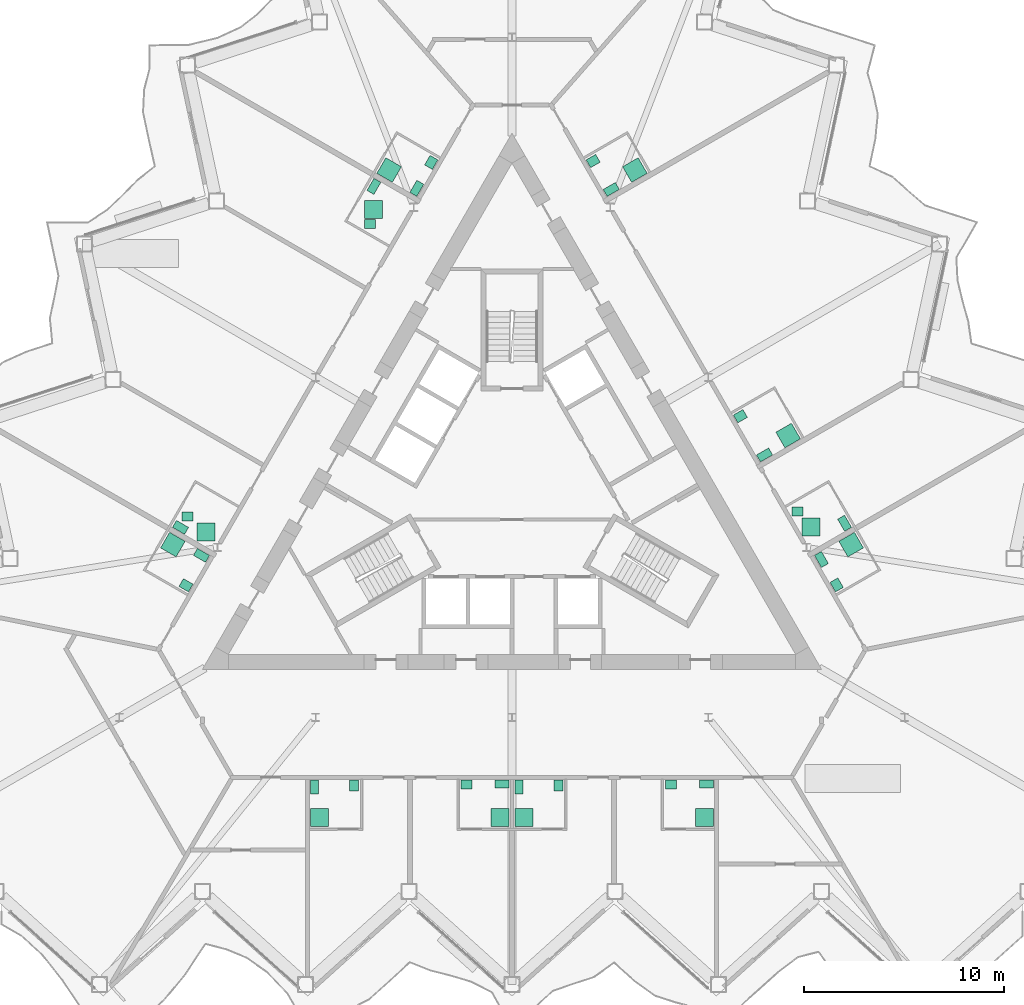
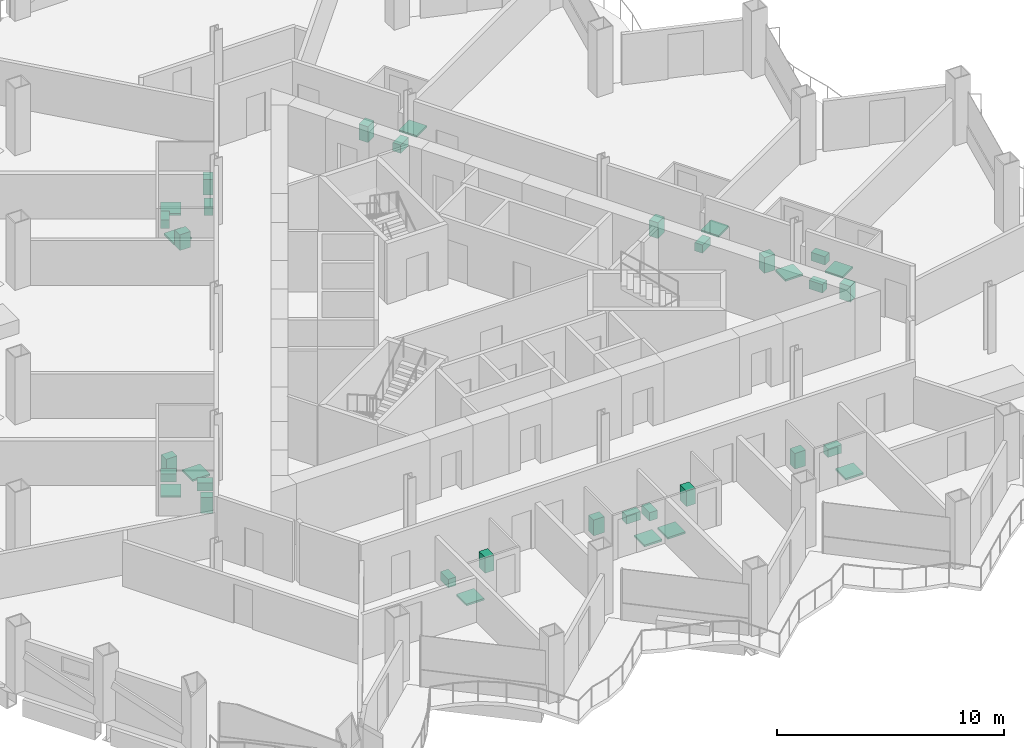
# One storey, part 22 of 23: 36 sanitary terminals.
"""IFC4 building model written with IfcOpenShell, lengths in metres."""

from ifc_helpers import new_model, si_unit, direction, frame, origin, origin_2d, place, context, subcontext, project, spatial, rectangle, extrude, material, type_object, element, save


model = new_model("IFC4")

# Units and contexts
model_context = context("Model", 3, precision=1e-05, world=origin(), true_north=direction((0.0, 1.0)))
body_context = subcontext(model_context, "Body", "Model", "MODEL_VIEW")
ifc_project = project(units=[si_unit("LENGTHUNIT", "METRE"), si_unit("AREAUNIT", "SQUARE_METRE"), si_unit("VOLUMEUNIT", "CUBIC_METRE"), si_unit("PLANEANGLEUNIT", "RADIAN"), si_unit("MASSUNIT", "GRAM", prefix="KILO")], contexts=[model_context])

# Site, building, storey
site_placement = place(None, origin())
site = spatial("IfcSite", under=ifc_project, at=site_placement, CompositionType="ELEMENT")
building_placement = place(site_placement, origin())
building = spatial("IfcBuilding", under=site, at=building_placement, Name="Cormorant Prow Tower", CompositionType="ELEMENT")
storey_placement = place(building_placement, frame((0.0, 0.0, 169.199951171875)))
storey = spatial("IfcBuildingStorey", under=building, at=storey_placement, Name="L35", CompositionType="ELEMENT", Elevation=169.199951171875)

# Sanitary terminals
ifc_material_1 = material(Name="Vitreous china")
sanitary_terminal_type_1 = type_object("IfcSanitaryTerminalType", Name="Shower tray 900x900", PredefinedType="SHOWER", material=ifc_material_1)
for number, where, z_axis, x_axis, name in (
    (1, (-9.636474609375, -16.35400390625, 0.0), (0.0, 0.0, 1.0), (0.0, 1.0, 0.0), "Shower tray"),
    (2, (-0.594970703125, -16.35400390625, 0.0), (0.0, 0.0, 1.0), (-1.0, 0.0, 0.0), "Shower tray"),
    (3, (0.594970703125, -16.35400390625, 0.0), (0.0, 0.0, 1.0), (0.0, 1.0, 0.0), "Shower tray"),
    (4, (9.636474609375, -16.35400390625, 0.0), (0.0, 0.0, 1.0), (-1.0, 0.0, 0.0), "Shower tray"),
    (5, (16.97802734375, -2.698974609375, 0.0), (0.0, 0.0, 1.0), (0.5, -0.866025403784, 0.0), "Shower tray"),
    (6, (14.973876953125, -1.806396484375, 0.0), (0.0, 0.0, 1.0), (1.0, 0.0, 0.0), "Shower tray"),
    (7, (13.8251953125, 2.761962890625, 0.0), (0.0, 0.0, 1.0), (-0.866025403784, -0.5, 0.0), "Shower tray"),
    (8, (6.151611328125, 16.052978515625, 0.0), (0.0, 0.0, 1.0), (-0.866025403784, -0.5, 0.0), "Shower tray"),
    (9, (-6.151611328125, 16.052978515625, 0.0), (0.0, 0.0, 1.0), (0.5, 0.866025403784, 0.0), "Shower tray"),
    (10, (-6.934814453125, 14.07666015625, 0.0), (0.0, 0.0, 1.0), (1.0, 0.0, 0.0), "Shower tray"),
    (11, (-15.316162109375, -2.056396484375, 0.0), (0.0, 0.0, 1.0), (1.0, 0.0, 0.0), "Shower tray"),
    (12, (-16.97802734375, -2.698974609375, 0.0), (0.0, 0.0, 1.0), (0.866025403784, -0.5, 0.0), "Shower tray"),
):
    element("IfcSanitaryTerminal", number, at=place(storey_placement, frame(where, z_axis=z_axis, x_axis=x_axis)), inside=storey, type_object=sanitary_terminal_type_1, Name=name, PredefinedType="SHOWER", context=body_context, shape_type="SweptSolid", body=[
        extrude(rectangle(XDim=0.89990234375, YDim=0.89990234375, at=origin_2d()), origin(), (0.0, 0.0, 1.0), 0.10009765625),
    ])
ifc_material_2 = material(Name="Vitreous china")
sanitary_terminal_type_2 = type_object("IfcSanitaryTerminalType", Name="Wash basin 550x450", PredefinedType="WASHHANDBASIN", material=ifc_material_2)
for number, where, z_axis, x_axis, name in (
    (13, (-7.9013671875, -14.768798828125, 0.0), (0.0, 0.0, 1.0), (0.0, -1.0, 0.0), "Wash basin"),
    (14, (-2.280029296875, -14.718994140625, 0.0), (0.0, 0.0, 1.0), (1.0, 0.0, 0.0), "Wash basin"),
    (15, (2.330078125, -14.768798828125, 0.0), (0.0, 0.0, 1.0), (0.0, -1.0, 0.0), "Wash basin"),
    (16, (7.951416015625, -14.718994140625, 0.0), (0.0, 0.0, 1.0), (1.0, 0.0, 0.0), "Wash basin"),
    (17, (16.254638671875, -4.7158203125, 0.0), (0.0, 0.0, 1.0), (-0.5, 0.866025403784, 0.0), "Wash basin"),
    (18, (14.298828125, -1.031494140625, 0.0), (0.0, 0.0, 1.0), (1.0, 0.0, 0.0), "Wash basin"),
    (19, (11.43505859375, 3.731689453125, 0.0), (0.0, 0.0, 1.0), (0.866025403784, 0.5, 0.0), "Wash basin"),
    (20, (4.0615234375, 16.503173828125, 0.0), (0.0, 0.0, 1.0), (0.866025403784, 0.5, 0.0), "Wash basin"),
    (21, (-4.043212890625, 16.434814453125, 0.0), (0.0, 0.0, 1.0), (-0.5, -0.866025403784, 0.0), "Wash basin"),
    (22, (-7.109619140625, 13.3515625, 0.0), (0.0, 0.0, 1.0), (1.0, 0.0, 0.0), "Wash basin"),
    (23, (-16.2412109375, -1.281494140625, 0.0), (0.0, 0.0, 1.0), (1.0, 0.0, 0.0), "Wash basin"),
    (24, (-16.322998046875, -4.734130859375, 0.0), (0.0, 0.0, 1.0), (-0.866025403784, 0.5, 0.0), "Wash basin"),
):
    element("IfcSanitaryTerminal", number, at=place(storey_placement, frame(where, z_axis=z_axis, x_axis=x_axis)), inside=storey, type_object=sanitary_terminal_type_2, Name=name, PredefinedType="WASHHANDBASIN", context=body_context, shape_type="SweptSolid", body=[
        extrude(rectangle(XDim=0.550048828125, YDim=0.449951171875, at=origin_2d()), origin(), (0.0, 0.0, 1.0), 0.85009765625),
    ])
ifc_material_3 = material(Name="Vitreous china")
sanitary_terminal_type_3 = type_object("IfcSanitaryTerminalType", Name="Water closet 400x700", PredefinedType="WCSEAT", material=ifc_material_3)
for number, where, z_axis, x_axis, name in (
    (25, (-9.886474609375, -14.843994140625, 0.0), (0.0, 0.0, 1.0), (1.0, 0.0, 0.0), "Water closet"),
    (26, (-0.4951171875, -14.69384765625, 0.0), (0.0, 0.0, 1.0), (0.0, -1.0, 0.0), "Water closet"),
    (27, (0.344970703125, -14.843994140625, 0.0), (0.0, 0.0, 1.0), (1.0, 0.0, 0.0), "Water closet"),
    (28, (9.736328125, -14.69384765625, 0.0), (0.0, 0.0, 1.0), (0.0, -1.0, 0.0), "Water closet"),
    (29, (15.490478515625, -3.4423828125, 0.0), (0.0, 0.0, 1.0), (0.866025403784, 0.5, 0.0), "Water closet"),
    (30, (16.649658203125, -1.6298828125, 0.0), (0.0, 0.0, 1.0), (-0.866025403784, -0.5, 0.0), "Water closet"),
    (31, (12.642578125, 1.790283203125, 0.0), (0.0, 0.0, 1.0), (-0.5, 0.866025403784, 0.0), "Water closet"),
    (32, (4.968994140625, 15.081298828125, 0.0), (0.0, 0.0, 1.0), (-0.5, 0.866025403784, 0.0), "Water closet"),
    (33, (-4.763916015625, 15.13623046875, 0.0), (0.0, 0.0, 1.0), (-0.866025403784, 0.5, 0.0), "Water closet"),
    (34, (-6.9130859375, 15.23388671875, 0.0), (0.0, 0.0, 1.0), (0.866025403784, -0.5, 0.0), "Water closet"),
    (35, (-16.594482421875, -1.8349609375, 0.0), (0.0, 0.0, 1.0), (0.5, 0.866025403784, 0.0), "Water closet"),
    (36, (-15.54541015625, -3.237548828125, 0.0), (0.0, 0.0, 1.0), (-0.5, -0.866025403784, 0.0), "Water closet"),
):
    element("IfcSanitaryTerminal", number, at=place(storey_placement, frame(where, z_axis=z_axis, x_axis=x_axis)), inside=storey, type_object=sanitary_terminal_type_3, Name=name, PredefinedType="WCSEAT", context=body_context, shape_type="SweptSolid", body=[
        extrude(rectangle(XDim=0.39990234375, YDim=0.699951171875, at=origin_2d()), origin(), (0.0, 0.0, 1.0), 0.449951171875),
    ])

save(model, "model.ifc")
